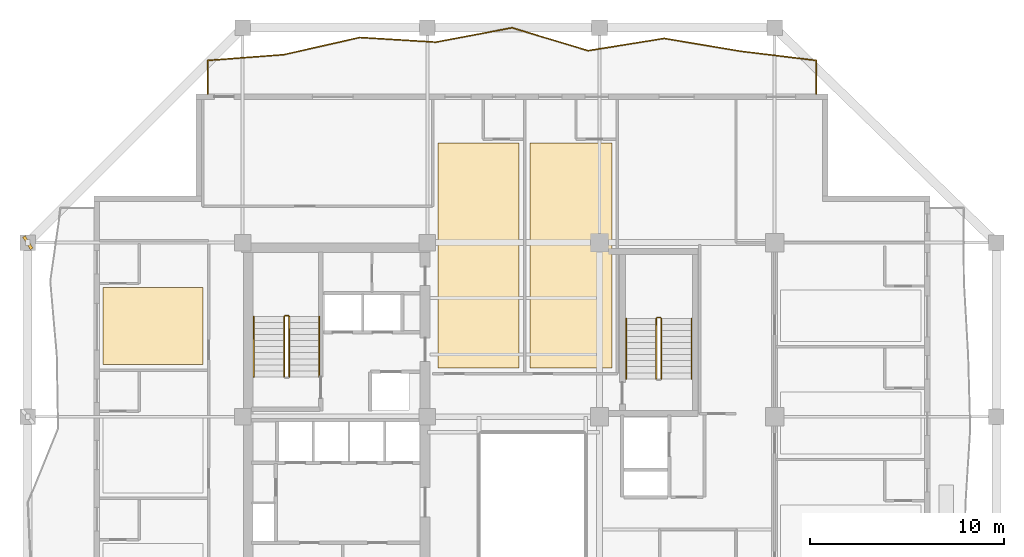
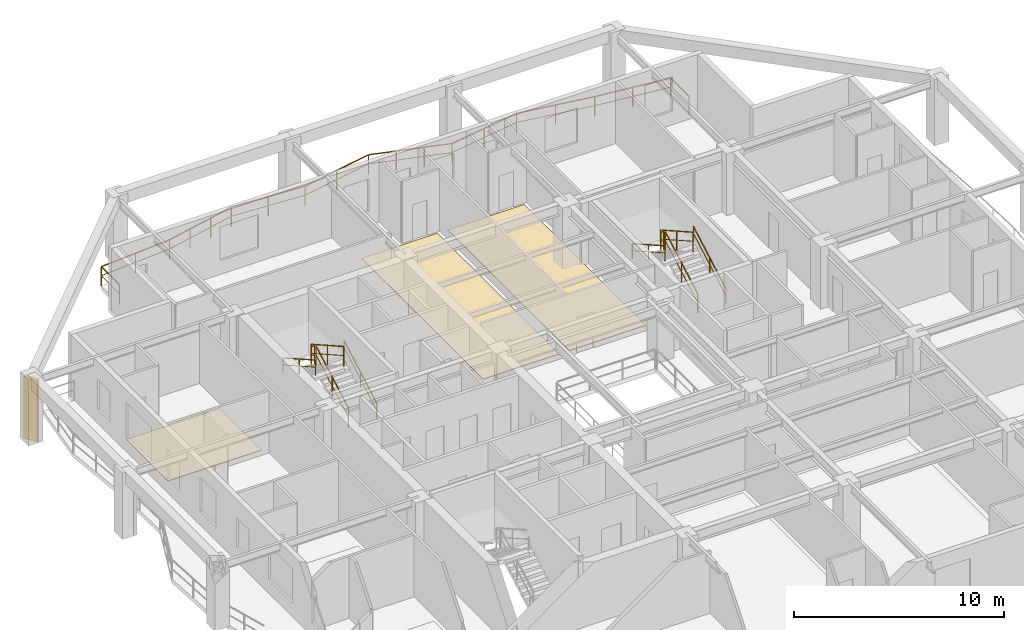
# One storey, part 11 of 13: 11 railings, 3 coverings, 1 shading device.
"""IFC4 building model written with IfcOpenShell, lengths in metres."""

from ifc_helpers import new_model, si_unit, direction, frame, origin, origin_2d, place, context, subcontext, project, spatial, polyline, rectangle, outline, extrude, material, layer, layer_set, type_object, element, save


model = new_model("IFC4")

# Units and contexts
model_context = context("Model", 3, precision=1e-05, world=origin(), true_north=direction((0.0, 1.0)))
body_context = subcontext(model_context, "Body", "Model", "MODEL_VIEW")
ifc_project = project(units=[si_unit("LENGTHUNIT", "METRE"), si_unit("AREAUNIT", "SQUARE_METRE"), si_unit("VOLUMEUNIT", "CUBIC_METRE"), si_unit("PLANEANGLEUNIT", "RADIAN"), si_unit("MASSUNIT", "GRAM", prefix="KILO")], contexts=[model_context])

# Site, building, storey
site_placement = place(None, origin())
site = spatial("IfcSite", under=ifc_project, at=site_placement, CompositionType="ELEMENT")
building_placement = place(site_placement, origin())
building = spatial("IfcBuilding", under=site, at=building_placement, Name="Kundavana Baori Tower", CompositionType="ELEMENT")
storey_placement = place(building_placement, frame((0.0, 0.0, 165.60009765625)))
storey = spatial("IfcBuildingStorey", under=building, at=storey_placement, Name="L40", CompositionType="ELEMENT", Elevation=165.60009765625)

# Coverings
ifc_material_1 = material(Name="Honed Kota Stone and Terrazzo Flooring", Category="masonry")
ifc_layer = layer(ifc_material_1, 0.0400390625, Name="COV-FLR-TERR-40")
ifc_layer_set = layer_set([ifc_layer], Name="Honed Kota Stone and Terrazzo Flooring")
covering_type = type_object("IfcCoveringType", Name="COV-FLR-TERR-40", PredefinedType="FLOORING", material=ifc_layer_set)
covering_1_placement = place(storey_placement, origin())
element("IfcCovering", 1, at=covering_1_placement, inside=storey, type_object=covering_type, Name="L40 Room Finished Stone Flooring 4", PredefinedType="FLOORING", context=body_context, shape_type="SweptSolid", body=[
    extrude(outline(polyline([(8.280029296875, 35.679931640625), (13.419921875, 35.679931640625), (13.419921875, 39.64990234375), (8.280029296875, 39.64990234375), (8.280029296875, 35.679931640625)])), origin(), (0.0, 0.0, 1.0), 0.039794921875),
])
covering_2_placement = place(storey_placement, origin())
element("IfcCovering", 2, at=covering_2_placement, inside=storey, type_object=covering_type, Name="L40 Room Finished Stone Flooring 11", PredefinedType="FLOORING", context=body_context, shape_type="SweptSolid", body=[
    extrude(outline(polyline([(25.5, 35.5), (29.669921875, 35.5), (29.669921875, 47.070068359375), (25.5, 47.070068359375), (25.5, 35.5)])), origin(), (0.0, 0.0, 1.0), 0.039794921875),
])
covering_3_placement = place(storey_placement, origin())
element("IfcCovering", 3, at=covering_3_placement, inside=storey, type_object=covering_type, Name="L40 Room Finished Stone Flooring 12", PredefinedType="FLOORING", context=body_context, shape_type="SweptSolid", body=[
    extrude(outline(polyline([(30.22998046875, 35.5), (34.43994140625, 35.5), (34.43994140625, 47.070068359375), (30.22998046875, 47.070068359375), (30.22998046875, 35.5)])), origin(), (0.0, 0.0, 1.0), 0.039794921875),
])

# Railings
ifc_material_2 = material(Name="Architectural Patinated Bronze Metalwork")
railing_type_1 = type_object("IfcRailingType", Name="RL-BAL-1150", PredefinedType="BALUSTRADE", material=ifc_material_2)
railing_1_placement = place(storey_placement, frame((13.64990234375, 49.60009765625, 0.0)))
element("IfcRailing", 4, at=railing_1_placement, inside=storey, type_object=railing_type_1, Name="L40 Loggia Balcony Balustrade N", PredefinedType="BALUSTRADE", context=body_context, shape_type="SweptSolid", body=[
    extrude(rectangle(XDim=0.048095703125, YDim=0.048095703125, at=origin_2d()), frame((0.0, 0.0, 1.1259765625), z_axis=(0.0, 1.0, 0.0), x_axis=(-1.0, 0.0, 0.0)), (0.0, 0.0, 1.0), 1.719970703125),
    extrude(rectangle(XDim=0.03125, YDim=0.03125, at=origin_2d()), frame((0.0, 0.0, 0.597900390625), z_axis=(0.0, 1.0, 0.0), x_axis=(-1.0, 0.0, 0.0)), (0.0, 0.0, 1.0), 1.719970703125),
    extrude(rectangle(XDim=0.048095703125, YDim=0.048095703125, at=origin_2d()), frame((0.0, 1.719970703125, 1.1259765625), z_axis=(0.997114210173, 0.075916084399, 0.0), x_axis=(-0.075916084399, 0.997114210173, 0.0)), (0.0, 0.0, 1.0), 3.92333984375),
    extrude(rectangle(XDim=0.03125, YDim=0.03125, at=origin_2d()), frame((0.0, 1.719970703125, 0.597900390625), z_axis=(0.997114210173, 0.075916084399, 0.0), x_axis=(-0.075916084399, 0.997114210173, 0.0)), (0.0, 0.0, 1.0), 3.92333984375),
    extrude(rectangle(XDim=0.048095703125, YDim=0.048095703125, at=origin_2d()), frame((3.912109375, 2.017822265625, 1.1259765625), z_axis=(0.975417798649, 0.220363604249, 0.0), x_axis=(-0.220363604249, 0.975417798649, 0.0)), (0.0, 0.0, 1.0), 4.01171875),
    extrude(rectangle(XDim=0.03125, YDim=0.03125, at=origin_2d()), frame((3.912109375, 2.017822265625, 0.597900390625), z_axis=(0.975417798649, 0.220363604249, 0.0), x_axis=(-0.220363604249, 0.975417798649, 0.0)), (0.0, 0.0, 1.0), 4.01171875),
    extrude(rectangle(XDim=0.048095703125, YDim=0.048095703125, at=origin_2d()), frame((7.8251953125, 2.90185546875, 1.1259765625), z_axis=(0.998124360554, -0.061218958409, 0.0), x_axis=(0.061218958409, 0.998124360554, 0.0)), (0.0, 0.0, 1.0), 3.920166015625),
    extrude(rectangle(XDim=0.03125, YDim=0.03125, at=origin_2d()), frame((7.8251953125, 2.90185546875, 0.597900390625), z_axis=(0.998124360554, -0.061218958409, 0.0), x_axis=(0.061218958409, 0.998124360554, 0.0)), (0.0, 0.0, 1.0), 3.920166015625),
    extrude(rectangle(XDim=0.048095703125, YDim=0.048095703125, at=origin_2d()), frame((11.738037109375, 2.661865234375, 1.1259765625), z_axis=(0.982666080479, 0.185384395987, 0.0), x_axis=(-0.185384395987, 0.982666080479, 0.0)), (0.0, 0.0, 1.0), 3.981201171875),
    extrude(rectangle(XDim=0.03125, YDim=0.03125, at=origin_2d()), frame((11.738037109375, 2.661865234375, 0.597900390625), z_axis=(0.982666080479, 0.185384395987, 0.0), x_axis=(-0.185384395987, 0.982666080479, 0.0)), (0.0, 0.0, 1.0), 3.981201171875),
    extrude(rectangle(XDim=0.048095703125, YDim=0.048095703125, at=origin_2d()), frame((15.650146484375, 3.39990234375, 1.1259765625), z_axis=(0.957613884145, -0.288054940754, 0.0), x_axis=(0.288054940754, 0.957613884145, 0.0)), (0.0, 0.0, 1.0), 4.0859375),
    extrude(rectangle(XDim=0.03125, YDim=0.03125, at=origin_2d()), frame((15.650146484375, 3.39990234375, 0.597900390625), z_axis=(0.957613884145, -0.288054940754, 0.0), x_axis=(0.288054940754, 0.957613884145, 0.0)), (0.0, 0.0, 1.0), 4.0859375),
    extrude(rectangle(XDim=0.048095703125, YDim=0.048095703125, at=origin_2d()), frame((19.56298828125, 2.222900390625, 1.1259765625), z_axis=(0.987236433937, 0.159261494117, 0.0), x_axis=(-0.159261494117, 0.987236433937, 0.0)), (0.0, 0.0, 1.0), 3.962646484375),
    extrude(rectangle(XDim=0.03125, YDim=0.03125, at=origin_2d()), frame((19.56298828125, 2.222900390625, 0.597900390625), z_axis=(0.987236433937, 0.159261494117, 0.0), x_axis=(-0.159261494117, 0.987236433937, 0.0)), (0.0, 0.0, 1.0), 3.962646484375),
    extrude(rectangle(XDim=0.048095703125, YDim=0.048095703125, at=origin_2d()), frame((23.47509765625, 2.85400390625, 1.1259765625), z_axis=(0.986146712574, -0.16587543905, 0.0), x_axis=(0.16587543905, 0.986146712574, 0.0)), (0.0, 0.0, 1.0), 3.968017578125),
    extrude(rectangle(XDim=0.03125, YDim=0.03125, at=origin_2d()), frame((23.47509765625, 2.85400390625, 0.597900390625), z_axis=(0.986146712574, -0.16587543905, 0.0), x_axis=(0.16587543905, 0.986146712574, 0.0)), (0.0, 0.0, 1.0), 3.968017578125),
    extrude(rectangle(XDim=0.048095703125, YDim=0.048095703125, at=origin_2d()), frame((27.38818359375, 2.19580078125, 1.1259765625), z_axis=(0.992683234767, -0.120747651786, 0.0), x_axis=(0.120747651786, 0.992683234767, 0.0)), (0.0, 0.0, 1.0), 3.940673828125),
    extrude(rectangle(XDim=0.03125, YDim=0.03125, at=origin_2d()), frame((27.38818359375, 2.19580078125, 0.597900390625), z_axis=(0.992683234767, -0.120747651786, 0.0), x_axis=(0.120747651786, 0.992683234767, 0.0)), (0.0, 0.0, 1.0), 3.940673828125),
    extrude(rectangle(XDim=0.048095703125, YDim=0.048095703125, at=origin_2d()), frame((31.300048828125, 1.719970703125, 1.1259765625), z_axis=(0.0, -1.0, 0.0), x_axis=(1.0, 0.0, 0.0)), (0.0, 0.0, 1.0), 1.719970703125),
    extrude(rectangle(XDim=0.03125, YDim=0.03125, at=origin_2d()), frame((31.300048828125, 1.719970703125, 0.597900390625), z_axis=(0.0, -1.0, 0.0), x_axis=(1.0, 0.0, 0.0)), (0.0, 0.0, 1.0), 1.719970703125),
    extrude(rectangle(XDim=0.0419921875, YDim=0.0419921875, at=origin_2d()), origin(), (0.0, 0.0, 1.0), 1.101806640625),
    extrude(rectangle(XDim=0.0419921875, YDim=0.0419921875, at=origin_2d()), frame((0.0, 1.719970703125, 0.0)), (0.0, 0.0, 1.0), 1.101806640625),
    extrude(rectangle(XDim=0.0419921875, YDim=0.0419921875, at=origin_2d()), frame((1.9560546875, 1.868896484375, 0.0)), (0.0, 0.0, 1.0), 1.101806640625),
    extrude(rectangle(XDim=0.0419921875, YDim=0.0419921875, at=origin_2d()), frame((3.912109375, 2.017822265625, 0.0)), (0.0, 0.0, 1.0), 1.101806640625),
    extrude(rectangle(XDim=0.0419921875, YDim=0.0419921875, at=origin_2d()), frame((5.216552734375, 2.3125, 0.0)), (0.0, 0.0, 1.0), 1.101806640625),
    extrude(rectangle(XDim=0.0419921875, YDim=0.0419921875, at=origin_2d()), frame((6.520751953125, 2.607177734375, 0.0)), (0.0, 0.0, 1.0), 1.101806640625),
    extrude(rectangle(XDim=0.0419921875, YDim=0.0419921875, at=origin_2d()), frame((7.8251953125, 2.90185546875, 0.0)), (0.0, 0.0, 1.0), 1.101806640625),
    extrude(rectangle(XDim=0.0419921875, YDim=0.0419921875, at=origin_2d()), frame((9.78173828125, 2.78173828125, 0.0)), (0.0, 0.0, 1.0), 1.101806640625),
    extrude(rectangle(XDim=0.0419921875, YDim=0.0419921875, at=origin_2d()), frame((11.738037109375, 2.661865234375, 0.0)), (0.0, 0.0, 1.0), 1.101806640625),
    extrude(rectangle(XDim=0.0419921875, YDim=0.0419921875, at=origin_2d()), frame((13.694091796875, 3.03076171875, 0.0)), (0.0, 0.0, 1.0), 1.101806640625),
    extrude(rectangle(XDim=0.0419921875, YDim=0.0419921875, at=origin_2d()), frame((15.650146484375, 3.39990234375, 0.0)), (0.0, 0.0, 1.0), 1.101806640625),
    extrude(rectangle(XDim=0.0419921875, YDim=0.0419921875, at=origin_2d()), frame((16.954345703125, 3.007568359375, 0.0)), (0.0, 0.0, 1.0), 1.101806640625),
    extrude(rectangle(XDim=0.0419921875, YDim=0.0419921875, at=origin_2d()), frame((18.2587890625, 2.615234375, 0.0)), (0.0, 0.0, 1.0), 1.101806640625),
    extrude(rectangle(XDim=0.0419921875, YDim=0.0419921875, at=origin_2d()), frame((19.56298828125, 2.222900390625, 0.0)), (0.0, 0.0, 1.0), 1.101806640625),
    extrude(rectangle(XDim=0.0419921875, YDim=0.0419921875, at=origin_2d()), frame((21.51904296875, 2.53857421875, 0.0)), (0.0, 0.0, 1.0), 1.101806640625),
    extrude(rectangle(XDim=0.0419921875, YDim=0.0419921875, at=origin_2d()), frame((23.47509765625, 2.85400390625, 0.0)), (0.0, 0.0, 1.0), 1.101806640625),
    extrude(rectangle(XDim=0.0419921875, YDim=0.0419921875, at=origin_2d()), frame((25.431640625, 2.52490234375, 0.0)), (0.0, 0.0, 1.0), 1.101806640625),
    extrude(rectangle(XDim=0.0419921875, YDim=0.0419921875, at=origin_2d()), frame((27.38818359375, 2.19580078125, 0.0)), (0.0, 0.0, 1.0), 1.101806640625),
    extrude(rectangle(XDim=0.0419921875, YDim=0.0419921875, at=origin_2d()), frame((29.34423828125, 1.9580078125, 0.0)), (0.0, 0.0, 1.0), 1.101806640625),
    extrude(rectangle(XDim=0.0419921875, YDim=0.0419921875, at=origin_2d()), frame((31.300048828125, 1.719970703125, 0.0)), (0.0, 0.0, 1.0), 1.101806640625),
    extrude(rectangle(XDim=0.0419921875, YDim=0.0419921875, at=origin_2d()), frame((31.300048828125, 0.0, 0.0)), (0.0, 0.0, 1.0), 1.101806640625),
])
ifc_material_3 = material(Name="Architectural Patinated Bronze Metalwork")
railing_type_2 = type_object("IfcRailingType", Name="RL-GRD-1150", PredefinedType="GUARDRAIL", material=ifc_material_3)
railing_2_placement = place(storey_placement, frame((17.840087890625, 35.050048828125, 0.1748046875)))
element("IfcRailing", 5, at=railing_2_placement, inside=storey, type_object=railing_type_2, Name="L40 ST2 stair guard 1", PredefinedType="GUARDRAIL", context=body_context, shape_type="SweptSolid", body=[
    extrude(rectangle(XDim=0.048095703125, YDim=0.048095703125, at=origin_2d()), frame((0.0, 0.0, 1.1259765625), z_axis=(0.0, 0.870814364268, 0.491611984175), x_axis=(-1.0, 0.0, 0.0)), (0.0, 0.0, 1.0), 3.559814453125),
    extrude(rectangle(XDim=0.03125, YDim=0.03125, at=origin_2d()), frame((0.0, 0.0, 0.597900390625), z_axis=(0.0, 0.870814364268, 0.491611984175), x_axis=(-1.0, 0.0, 0.0)), (0.0, 0.0, 1.0), 3.559814453125),
    extrude(rectangle(XDim=0.0419921875, YDim=0.0419921875, at=origin_2d()), origin(), (0.0, 0.0, 1.0), 1.101806640625),
    extrude(rectangle(XDim=0.0419921875, YDim=0.0419921875, at=origin_2d()), frame((0.0, 1.5498046875, 0.875)), (0.0, 0.0, 1.0), 1.101806640625),
    extrude(rectangle(XDim=0.0419921875, YDim=0.0419921875, at=origin_2d()), frame((0.0, 3.099853515625, 1.75)), (0.0, 0.0, 1.0), 1.101806640625),
])
railing_3_placement = place(storey_placement, frame((17.7900390625, 38.199951171875, 1.9248046875)))
element("IfcRailing", 6, at=railing_3_placement, inside=storey, type_object=railing_type_2, Name="L40 ST2 stair guard 2", PredefinedType="GUARDRAIL", context=body_context, shape_type="SweptSolid", body=[
    extrude(rectangle(XDim=0.048095703125, YDim=0.048095703125, at=origin_2d()), frame((0.0, 0.0, 1.1259765625), z_axis=(-1.0, 0.0, 0.0), x_axis=(0.0, -1.0, 0.0)), (0.0, 0.0, 1.0), 0.16015625),
    extrude(rectangle(XDim=0.03125, YDim=0.03125, at=origin_2d()), frame((0.0, 0.0, 0.597900390625), z_axis=(-1.0, 0.0, 0.0), x_axis=(0.0, -1.0, 0.0)), (0.0, 0.0, 1.0), 0.16015625),
    extrude(rectangle(XDim=0.0419921875, YDim=0.0419921875, at=origin_2d()), origin(), (0.0, 0.0, 1.0), 1.101806640625),
    extrude(rectangle(XDim=0.0419921875, YDim=0.0419921875, at=origin_2d()), frame((-0.16015625, 0.0, 0.0)), (0.0, 0.0, 1.0), 1.101806640625),
])
railing_4_placement = place(storey_placement, frame((17.580078125, 38.14990234375, 2.099853515625)))
element("IfcRailing", 7, at=railing_4_placement, inside=storey, type_object=railing_type_2, Name="L40 ST2 stair guard 3", PredefinedType="GUARDRAIL", context=body_context, shape_type="SweptSolid", body=[
    extrude(rectangle(XDim=0.048095703125, YDim=0.048095703125, at=origin_2d()), frame((0.0, 0.0, 1.1259765625), z_axis=(0.0, -0.870814364268, 0.491611984175), x_axis=(1.0, 0.0, 0.0)), (0.0, 0.0, 1.0), 3.559814453125),
    extrude(rectangle(XDim=0.03125, YDim=0.03125, at=origin_2d()), frame((0.0, 0.0, 0.597900390625), z_axis=(0.0, -0.870814364268, 0.491611984175), x_axis=(1.0, 0.0, 0.0)), (0.0, 0.0, 1.0), 3.559814453125),
    extrude(rectangle(XDim=0.0419921875, YDim=0.0419921875, at=origin_2d()), origin(), (0.0, 0.0, 1.0), 1.101806640625),
    extrude(rectangle(XDim=0.0419921875, YDim=0.0419921875, at=origin_2d()), frame((0.0, -1.5498046875, 0.875)), (0.0, 0.0, 1.0), 1.101806640625),
    extrude(rectangle(XDim=0.0419921875, YDim=0.0419921875, at=origin_2d()), frame((0.0, -3.099853515625, 1.75)), (0.0, 0.0, 1.0), 1.101806640625),
])
railing_5_placement = place(storey_placement, frame((36.97998046875, 34.949951171875, 0.1748046875)))
element("IfcRailing", 8, at=railing_5_placement, inside=storey, type_object=railing_type_2, Name="L40 ST3 stair guard 1", PredefinedType="GUARDRAIL", context=body_context, shape_type="SweptSolid", body=[
    extrude(rectangle(XDim=0.048095703125, YDim=0.048095703125, at=origin_2d()), frame((0.0, 0.0, 1.1259765625), z_axis=(0.0, 0.870830938388, 0.491582624537), x_axis=(-1.0, 0.0, 0.0)), (0.0, 0.0, 1.0), 3.559814453125),
    extrude(rectangle(XDim=0.03125, YDim=0.03125, at=origin_2d()), frame((0.0, 0.0, 0.597900390625), z_axis=(0.0, 0.870830938388, 0.491582624537), x_axis=(-1.0, 0.0, 0.0)), (0.0, 0.0, 1.0), 3.559814453125),
    extrude(rectangle(XDim=0.0419921875, YDim=0.0419921875, at=origin_2d()), origin(), (0.0, 0.0, 1.0), 1.101806640625),
    extrude(rectangle(XDim=0.0419921875, YDim=0.0419921875, at=origin_2d()), frame((0.0, 1.550048828125, 0.875)), (0.0, 0.0, 1.0), 1.101806640625),
    extrude(rectangle(XDim=0.0419921875, YDim=0.0419921875, at=origin_2d()), frame((0.0, 3.10009765625, 1.75)), (0.0, 0.0, 1.0), 1.101806640625),
])
railing_6_placement = place(storey_placement, frame((36.929931640625, 38.10009765625, 1.9248046875)))
element("IfcRailing", 9, at=railing_6_placement, inside=storey, type_object=railing_type_2, Name="L40 ST3 stair guard 2", PredefinedType="GUARDRAIL", context=body_context, shape_type="SweptSolid", body=[
    extrude(rectangle(XDim=0.048095703125, YDim=0.048095703125, at=origin_2d()), frame((0.0, 0.0, 1.1259765625), z_axis=(-1.0, 0.0, 0.0), x_axis=(0.0, -1.0, 0.0)), (0.0, 0.0, 1.0), 0.159912109375),
    extrude(rectangle(XDim=0.03125, YDim=0.03125, at=origin_2d()), frame((0.0, 0.0, 0.597900390625), z_axis=(-1.0, 0.0, 0.0), x_axis=(0.0, -1.0, 0.0)), (0.0, 0.0, 1.0), 0.159912109375),
    extrude(rectangle(XDim=0.0419921875, YDim=0.0419921875, at=origin_2d()), origin(), (0.0, 0.0, 1.0), 1.101806640625),
    extrude(rectangle(XDim=0.0419921875, YDim=0.0419921875, at=origin_2d()), frame((-0.159912109375, 0.0, 0.0)), (0.0, 0.0, 1.0), 1.101806640625),
])
railing_7_placement = place(storey_placement, frame((36.719970703125, 38.050048828125, 2.099853515625)))
element("IfcRailing", 10, at=railing_7_placement, inside=storey, type_object=railing_type_2, Name="L40 ST3 stair guard 3", PredefinedType="GUARDRAIL", context=body_context, shape_type="SweptSolid", body=[
    extrude(rectangle(XDim=0.048095703125, YDim=0.048095703125, at=origin_2d()), frame((0.0, 0.0, 1.1259765625), z_axis=(0.0, -0.870830938388, 0.491582624537), x_axis=(1.0, 0.0, 0.0)), (0.0, 0.0, 1.0), 3.559814453125),
    extrude(rectangle(XDim=0.03125, YDim=0.03125, at=origin_2d()), frame((0.0, 0.0, 0.597900390625), z_axis=(0.0, -0.870830938388, 0.491582624537), x_axis=(1.0, 0.0, 0.0)), (0.0, 0.0, 1.0), 3.559814453125),
    extrude(rectangle(XDim=0.0419921875, YDim=0.0419921875, at=origin_2d()), origin(), (0.0, 0.0, 1.0), 1.101806640625),
    extrude(rectangle(XDim=0.0419921875, YDim=0.0419921875, at=origin_2d()), frame((0.0, -1.550048828125, 0.875)), (0.0, 0.0, 1.0), 1.101806640625),
    extrude(rectangle(XDim=0.0419921875, YDim=0.0419921875, at=origin_2d()), frame((0.0, -3.10009765625, 1.75)), (0.0, 0.0, 1.0), 1.101806640625),
])
ifc_material_4 = material(Name="Architectural Patinated Bronze Metalwork")
railing_type_3 = type_object("IfcRailingType", Name="RL-HND-920", PredefinedType="HANDRAIL", material=ifc_material_4)
railing_8_placement = place(storey_placement, frame((19.389892578125, 35.050048828125, 0.1748046875)))
element("IfcRailing", 11, at=railing_8_placement, inside=storey, type_object=railing_type_3, Name="L40 ST2 stair handrail 1", PredefinedType="HANDRAIL", context=body_context, shape_type="SweptSolid", body=[
    extrude(rectangle(XDim=0.048095703125, YDim=0.048095703125, at=origin_2d()), frame((0.0, 0.0, 0.8759765625), z_axis=(0.0, 0.870814364268, 0.491611984175), x_axis=(-1.0, 0.0, 0.0)), (0.0, 0.0, 1.0), 3.559814453125),
    extrude(rectangle(XDim=0.03125, YDim=0.03125, at=origin_2d()), frame((0.0, 0.0, 0.468017578125), z_axis=(0.0, 0.870814364268, 0.491611984175), x_axis=(-1.0, 0.0, 0.0)), (0.0, 0.0, 1.0), 3.559814453125),
    extrude(rectangle(XDim=0.0419921875, YDim=0.0419921875, at=origin_2d()), origin(), (0.0, 0.0, 1.0), 0.851806640625),
    extrude(rectangle(XDim=0.0419921875, YDim=0.0419921875, at=origin_2d()), frame((0.0, 1.5498046875, 0.875)), (0.0, 0.0, 1.0), 0.851806640625),
    extrude(rectangle(XDim=0.0419921875, YDim=0.0419921875, at=origin_2d()), frame((0.0, 3.099853515625, 1.75)), (0.0, 0.0, 1.0), 0.851806640625),
])
railing_9_placement = place(storey_placement, frame((16.030029296875, 38.14990234375, 2.099853515625)))
element("IfcRailing", 12, at=railing_9_placement, inside=storey, type_object=railing_type_3, Name="L40 ST2 stair handrail 2", PredefinedType="HANDRAIL", context=body_context, shape_type="SweptSolid", body=[
    extrude(rectangle(XDim=0.048095703125, YDim=0.048095703125, at=origin_2d()), frame((0.0, 0.0, 0.8759765625), z_axis=(0.0, -0.870814364268, 0.491611984175), x_axis=(1.0, 0.0, 0.0)), (0.0, 0.0, 1.0), 3.559814453125),
    extrude(rectangle(XDim=0.03125, YDim=0.03125, at=origin_2d()), frame((0.0, 0.0, 0.468017578125), z_axis=(0.0, -0.870814364268, 0.491611984175), x_axis=(1.0, 0.0, 0.0)), (0.0, 0.0, 1.0), 3.559814453125),
    extrude(rectangle(XDim=0.0419921875, YDim=0.0419921875, at=origin_2d()), origin(), (0.0, 0.0, 1.0), 0.851806640625),
    extrude(rectangle(XDim=0.0419921875, YDim=0.0419921875, at=origin_2d()), frame((0.0, -1.5498046875, 0.875)), (0.0, 0.0, 1.0), 0.851806640625),
    extrude(rectangle(XDim=0.0419921875, YDim=0.0419921875, at=origin_2d()), frame((0.0, -3.099853515625, 1.75)), (0.0, 0.0, 1.0), 0.851806640625),
])
railing_10_placement = place(storey_placement, frame((38.530029296875, 34.949951171875, 0.1748046875)))
element("IfcRailing", 13, at=railing_10_placement, inside=storey, type_object=railing_type_3, Name="L40 ST3 stair handrail 1", PredefinedType="HANDRAIL", context=body_context, shape_type="SweptSolid", body=[
    extrude(rectangle(XDim=0.048095703125, YDim=0.048095703125, at=origin_2d()), frame((0.0, 0.0, 0.8759765625), z_axis=(0.0, 0.870830938388, 0.491582624537), x_axis=(-1.0, 0.0, 0.0)), (0.0, 0.0, 1.0), 3.559814453125),
    extrude(rectangle(XDim=0.03125, YDim=0.03125, at=origin_2d()), frame((0.0, 0.0, 0.468017578125), z_axis=(0.0, 0.870830938388, 0.491582624537), x_axis=(-1.0, 0.0, 0.0)), (0.0, 0.0, 1.0), 3.559814453125),
    extrude(rectangle(XDim=0.0419921875, YDim=0.0419921875, at=origin_2d()), origin(), (0.0, 0.0, 1.0), 0.851806640625),
    extrude(rectangle(XDim=0.0419921875, YDim=0.0419921875, at=origin_2d()), frame((0.0, 1.550048828125, 0.875)), (0.0, 0.0, 1.0), 0.851806640625),
    extrude(rectangle(XDim=0.0419921875, YDim=0.0419921875, at=origin_2d()), frame((0.0, 3.10009765625, 1.75)), (0.0, 0.0, 1.0), 0.851806640625),
])
railing_11_placement = place(storey_placement, frame((35.169921875, 38.050048828125, 2.099853515625)))
element("IfcRailing", 14, at=railing_11_placement, inside=storey, type_object=railing_type_3, Name="L40 ST3 stair handrail 2", PredefinedType="HANDRAIL", context=body_context, shape_type="SweptSolid", body=[
    extrude(rectangle(XDim=0.048095703125, YDim=0.048095703125, at=origin_2d()), frame((0.0, 0.0, 0.8759765625), z_axis=(0.0, -0.870830938388, 0.491582624537), x_axis=(1.0, 0.0, 0.0)), (0.0, 0.0, 1.0), 3.559814453125),
    extrude(rectangle(XDim=0.03125, YDim=0.03125, at=origin_2d()), frame((0.0, 0.0, 0.468017578125), z_axis=(0.0, -0.870830938388, 0.491582624537), x_axis=(1.0, 0.0, 0.0)), (0.0, 0.0, 1.0), 3.559814453125),
    extrude(rectangle(XDim=0.0419921875, YDim=0.0419921875, at=origin_2d()), origin(), (0.0, 0.0, 1.0), 0.851806640625),
    extrude(rectangle(XDim=0.0419921875, YDim=0.0419921875, at=origin_2d()), frame((0.0, -1.550048828125, 0.875)), (0.0, 0.0, 1.0), 0.851806640625),
    extrude(rectangle(XDim=0.0419921875, YDim=0.0419921875, at=origin_2d()), frame((0.0, -3.10009765625, 1.75)), (0.0, 0.0, 1.0), 0.851806640625),
])

# Shading device
ifc_material_5 = material(Name="Red-Buff Dholpur Sandstone Cladding on Concrete C40/50", Category="masonry")
shading_device_type = type_object("IfcShadingDeviceType", Name="SHD-FIN-750", PredefinedType="JALOUSIE", material=ifc_material_5)
shading_device_placement = place(storey_placement, frame((4.39990234375, 41.949951171875, -0.000244140625), z_axis=(0.0, 0.0, 1.0), x_axis=(0.848879444811, 0.528586500185, 0.0)))
element("IfcShadingDevice", 15, at=shading_device_placement, inside=storey, type_object=shading_device_type, Name="L40 Sweeping Dholpur Sandstone Facade Fin 8", PredefinedType="JALOUSIE", context=body_context, shape_type="SweptSolid", body=[
    extrude(rectangle(XDim=0.159912109375, YDim=0.75, at=origin_2d()), origin(), (0.0, 0.0, 1.0), 3.60009765625),
])

save(model, "model.ifc")
